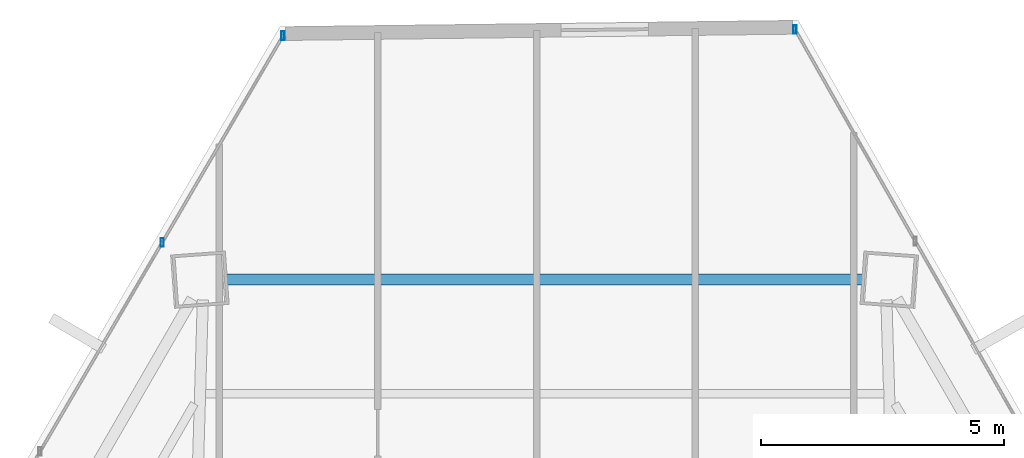
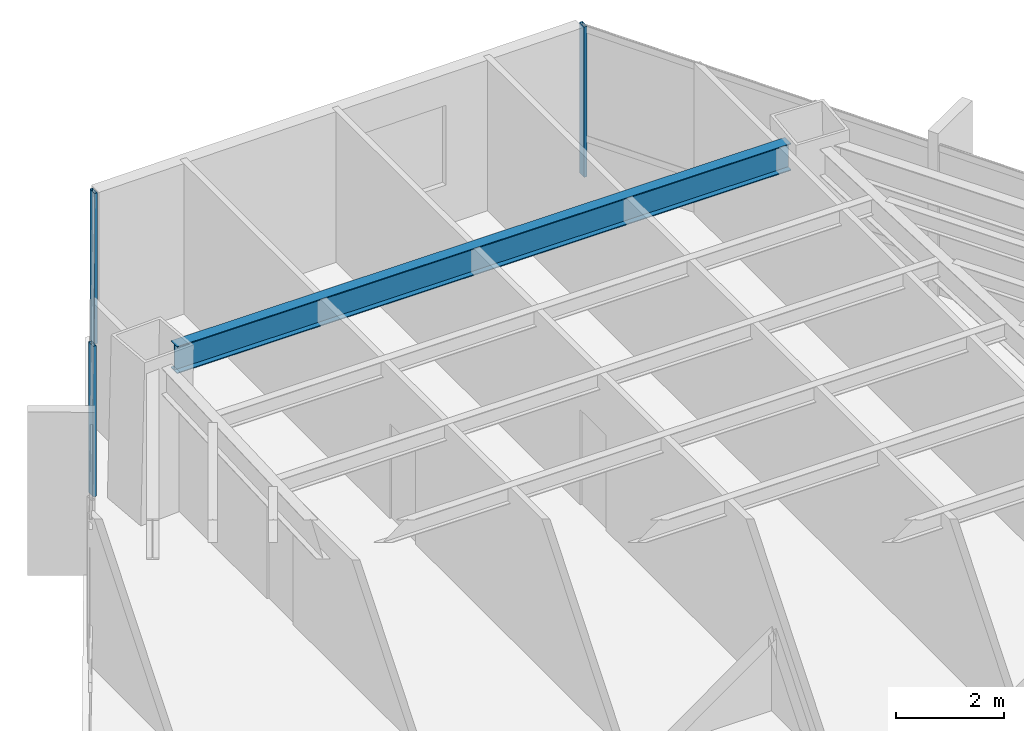
# One storey, part 27 of 37: 3 members, 1 beam, 2 elements without a shape of their own.
"""IFC4 building model written with IfcOpenShell, lengths in metres."""

from ifc_helpers import new_model, si_unit, direction, frame, origin, origin_2d, place, context, subcontext, project, spatial, hollow_rectangle, i_section, extrude, source, transform, mapped, material, material_profile, profile_set, type_object, type_shapes, element, aggregate, save


model = new_model("IFC4")

# Units and contexts
model_context = context("Model", 3, precision=1e-05, world=origin(), true_north=direction((0.0, 1.0)))
body_context = subcontext(model_context, "Body", "Model", "MODEL_VIEW")
ifc_project = project(units=[si_unit("LENGTHUNIT", "METRE"), si_unit("AREAUNIT", "SQUARE_METRE"), si_unit("VOLUMEUNIT", "CUBIC_METRE"), si_unit("PLANEANGLEUNIT", "RADIAN"), si_unit("MASSUNIT", "GRAM", prefix="KILO")], contexts=[model_context])

# Site, building, storey
site_placement = place(None, origin())
site = spatial("IfcSite", under=ifc_project, at=site_placement, CompositionType="ELEMENT")
building_placement = place(site_placement, origin())
building = spatial("IfcBuilding", under=site, at=building_placement, Name="Caelisora Broadcast Tower", CompositionType="ELEMENT")
storey_placement = place(building_placement, frame((0.0, 0.0, 120.0)))
storey = spatial("IfcBuildingStorey", under=building, at=storey_placement, Name="L31", CompositionType="ELEMENT", Elevation=120.0)

# Beam
ifc_material_1 = material(Name="Steel Grade 350 (AS/NZS 3679.1)", Category="steel")
ifc_material_profile_1 = material_profile(ifc_material_1, i_section(OverallWidth=0.22900390625, OverallDepth=0.611572265625, WebThickness=0.011962890625, FlangeThickness=0.01953125, at=origin_2d()), Name="Steel Grade 350 (AS/NZS 3679.1)")
ifc_profile_set_1 = profile_set([ifc_material_profile_1], Name="Steel Grade 350 (AS/NZS 3679.1)")
beam_type = type_object("IfcBeamType", Name="PG03", PredefinedType="BEAM", material=ifc_profile_set_1)
shared_shape_1 = source(origin(), body_context, "Body", "SweptSolid", [
    extrude(i_section(OverallWidth=0.22900390625, OverallDepth=0.611572265625, WebThickness=0.011962890625, FlangeThickness=0.01953125, at=origin_2d()), origin(), (0.0, 0.0, 1.0), 13.1142578125),
])
type_shapes(beam_type, [shared_shape_1])
beam_placement = place(storey_placement, frame((44.55712890625, 46.44091796875, 3.09423828125), z_axis=(-1.0, 0.0, 0.0), x_axis=(0.0, -1.0, 0.0)))
element("IfcBeam", 1, at=beam_placement, inside=storey, type_object=beam_type, Name="L31 beam PG03", PredefinedType="BEAM", context=body_context, shape_type="MappedRepresentation", body=[
    mapped(shared_shape_1, transform((0.0, 0.0, 0.0), scale=1.0)),
])

# Curtain wall, member
ifc_material_2 = material(Name="Unitised Aluminium and Low-E Glass Curtain Wall", Category="glass")
curtain_wall_type = type_object("IfcCurtainWallType", Name="CW-Z2", PredefinedType="NOTDEFINED", material=ifc_material_2)
curtain_wall_1_placement = place(storey_placement, origin())
curtain_wall_1 = element("IfcCurtainWall", 2, at=curtain_wall_1_placement, inside=storey, type_object=curtain_wall_type, Name="L31 curtain wall CW-Z2", PredefinedType="NOTDEFINED")
ifc_material_3 = material(Name="Aluminium 6063-T6 Anodised Terracotta Bronze", Category="aluminium")
ifc_material_profile_2 = material_profile(ifc_material_3, hollow_rectangle(XDim=0.06494140625, YDim=0.179931640625, WallThickness=0.00341796875, at=origin_2d()), Name="Aluminium 6063-T6 Anodised Terracotta Bronze")
ifc_profile_set_2 = profile_set([ifc_material_profile_2], Name="Aluminium 6063-T6 Anodised Terracotta Bronze")
member_type = type_object("IfcMemberType", Name="CWM-02", PredefinedType="MULLION", material=ifc_profile_set_2)
shared_shape_2 = source(origin(), body_context, "Body", "SweptSolid", [
    extrude(hollow_rectangle(XDim=0.06494140625, YDim=0.179931640625, WallThickness=0.00341796875, at=origin_2d()), origin(), (0.0, 0.0, 1.0), 3.39990234375),
])
type_shapes(member_type, [shared_shape_2])
member_1_placement = place(storey_placement, frame((43.150634765625, 51.58251953125, 0.0), z_axis=(0.0, 0.0, 1.0), x_axis=(1.0, 0.0, 0.0)))
member_1 = element("IfcMember", 3, at=member_1_placement, type_object=member_type, Name="L31-CW-B01 mullion #0", PredefinedType="MULLION", context=body_context, shape_type="MappedRepresentation", body=[
    mapped(shared_shape_2, transform((0.0, 0.0, 0.0), scale=1.0)),
])
aggregate(curtain_wall_1, [member_1])

# Curtain wall, members
curtain_wall_2_placement = place(storey_placement, origin())
curtain_wall_2 = element("IfcCurtainWall", 4, at=curtain_wall_2_placement, inside=storey, type_object=curtain_wall_type, Name="L31 curtain wall CW-Z2", PredefinedType="NOTDEFINED")
member_2_placement = place(storey_placement, frame((30.1337890625, 47.198486328125, 0.0), z_axis=(0.0, 0.0, 1.0), x_axis=(1.0, 0.0, 0.0)))
member_2 = element("IfcMember", 5, at=member_2_placement, type_object=member_type, Name="L31-CW-B11 mullion #2", PredefinedType="MULLION", context=body_context, shape_type="MappedRepresentation", body=[
    mapped(shared_shape_2, transform((0.0, 0.0, 0.0), scale=1.0)),
])
member_3_placement = place(storey_placement, frame((32.619873046875, 51.452880859375, 0.0), z_axis=(0.0, 0.0, 1.0), x_axis=(1.0, 0.0, 0.0)))
member_3 = element("IfcMember", 6, at=member_3_placement, type_object=member_type, Name="L31-CW-B11 mullion #3", PredefinedType="MULLION", context=body_context, shape_type="MappedRepresentation", body=[
    mapped(shared_shape_2, transform((0.0, 0.0, 0.0), scale=1.0)),
])
aggregate(curtain_wall_2, [member_2, member_3])

save(model, "model.ifc")
